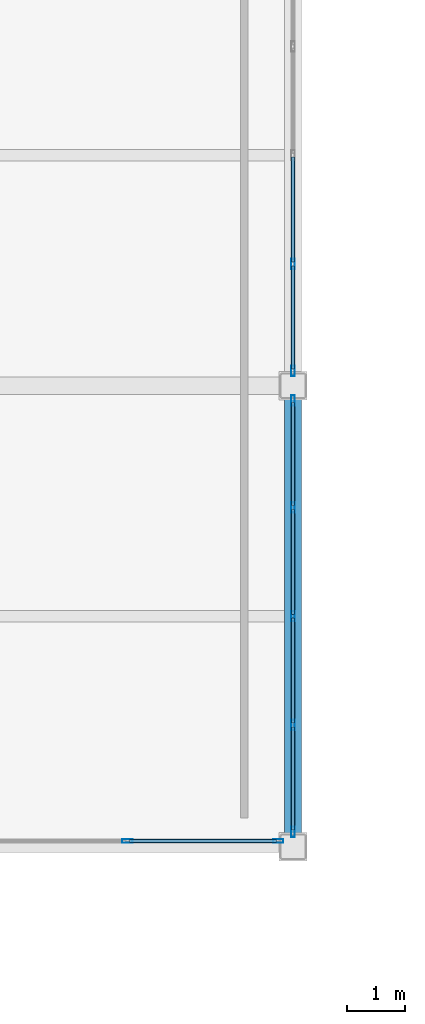
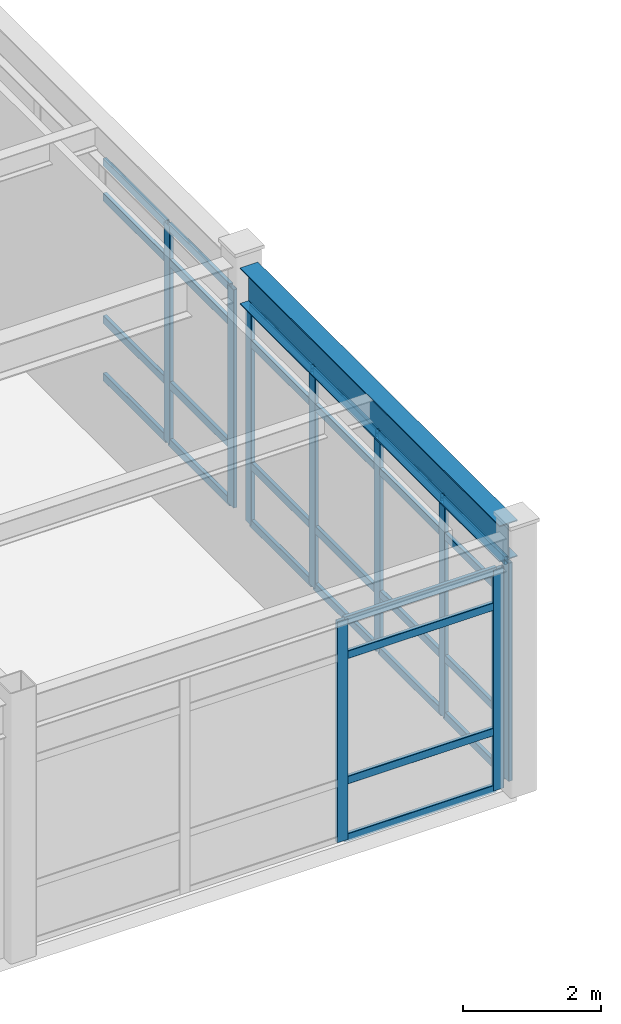
# One storey, part 83 of 172: 37 members, 1 beam, 3 elements without a shape of their own.
"""IFC4 building model written with IfcOpenShell, lengths in metres."""

from ifc_helpers import new_model, si_unit, direction, frame, origin, origin_2d, place, context, subcontext, project, spatial, hollow_rectangle, i_section, extrude, material, layer, layer_set, material_profile, profile_set, type_object, element, aggregate, save


model = new_model("IFC4")

# Units and contexts
model_context = context("Model", 3, precision=1e-05, world=origin(), true_north=direction((0.0, 1.0)))
body_context = subcontext(model_context, "Body", "Model", "MODEL_VIEW")
ifc_project = project(units=[si_unit("LENGTHUNIT", "METRE"), si_unit("AREAUNIT", "SQUARE_METRE"), si_unit("VOLUMEUNIT", "CUBIC_METRE"), si_unit("PLANEANGLEUNIT", "RADIAN"), si_unit("MASSUNIT", "GRAM", prefix="KILO")], contexts=[model_context])

# Site, building, storey
site_placement = place(None, origin())
site = spatial("IfcSite", under=ifc_project, at=site_placement, CompositionType="ELEMENT")
building_placement = place(site_placement, origin())
building = spatial("IfcBuilding", under=site, at=building_placement, Name="Kazehara Bluff Congress Hotel", CompositionType="ELEMENT")
storey_placement = place(building_placement, frame((0.0, 0.0, 5.39990234375)))
storey = spatial("IfcBuildingStorey", under=building, at=storey_placement, Name="L01", CompositionType="ELEMENT", Elevation=5.39990234375)

# Curtain wall, members
ifc_material_1 = material(Name="Anodised aluminium", Category="aluminium")
ifc_layer_1 = layer(ifc_material_1, 0.159912109375)
ifc_layer_set_1 = layer_set([ifc_layer_1], Name="Anodised aluminium")
curtain_wall_type_1 = type_object("IfcCurtainWallType", Name="TP-CW-21", PredefinedType="NOTDEFINED", material=ifc_layer_set_1)
curtain_wall_1_placement = place(storey_placement, origin())
curtain_wall_1 = element("IfcCurtainWall", 1, at=curtain_wall_1_placement, inside=storey, type_object=curtain_wall_type_1, Name="L01 curtain wall CW-21 CW-V3-L01-X10125-8112", PredefinedType="NOTDEFINED")
ifc_material_2 = material(Name="Anodised aluminium", Category="aluminium")
ifc_material_profile_1 = material_profile(ifc_material_2, hollow_rectangle(XDim=0.06494140625, YDim=0.179931640625, WallThickness=0.00390625, InnerFilletRadius=0.00390625, OuterFilletRadius=0.008056640625, at=origin_2d()))
ifc_profile_set_1 = profile_set([ifc_material_profile_1], Name="Anodised aluminium")
member_type_1 = type_object("IfcMemberType", Name="TP-CWM-02", PredefinedType="MULLION", material=ifc_profile_set_1)
member_1_placement = place(storey_placement, frame((101.25, 81.157470703125, 0.0), z_axis=(0.0, 0.0, 1.0), x_axis=(-1.0, 0.0, 0.0)))
member_1 = element("IfcMember", 2, at=member_1_placement, type_object=member_type_1, Name="CW-21 mullion 1", PredefinedType="MULLION", context=body_context, shape_type="SweptSolid", body=[
    extrude(hollow_rectangle(XDim=0.06494140625, YDim=0.179931640625, WallThickness=0.00390625, InnerFilletRadius=0.00390625, OuterFilletRadius=0.008056640625, at=origin_2d()), origin(), (0.0, 0.0, 1.0), 3.875),
])
member_2_placement = place(storey_placement, frame((101.25, 83.012451171875, 0.0), z_axis=(0.0, 0.0, 1.0), x_axis=(-1.0, 0.0, 0.0)))
member_2 = element("IfcMember", 3, at=member_2_placement, type_object=member_type_1, Name="CW-21 mullion 2", PredefinedType="MULLION", context=body_context, shape_type="SweptSolid", body=[
    extrude(hollow_rectangle(XDim=0.06494140625, YDim=0.179931640625, WallThickness=0.00390625, InnerFilletRadius=0.00390625, OuterFilletRadius=0.008056640625, at=origin_2d()), origin(), (0.0, 0.0, 1.0), 3.875),
])
member_3_placement = place(storey_placement, frame((101.25, 84.89990234375, 0.0), z_axis=(0.0, 0.0, 1.0), x_axis=(-1.0, 0.0, 0.0)))
member_3 = element("IfcMember", 4, at=member_3_placement, type_object=member_type_1, Name="CW-21 mullion 3", PredefinedType="MULLION", context=body_context, shape_type="SweptSolid", body=[
    extrude(hollow_rectangle(XDim=0.06494140625, YDim=0.179931640625, WallThickness=0.00390625, InnerFilletRadius=0.00390625, OuterFilletRadius=0.008056640625, at=origin_2d()), origin(), (0.0, 0.0, 1.0), 3.875),
])
member_4_placement = place(storey_placement, frame((101.25, 86.78759765625, 0.0), z_axis=(0.0, 0.0, 1.0), x_axis=(-1.0, 0.0, 0.0)))
member_4 = element("IfcMember", 5, at=member_4_placement, type_object=member_type_1, Name="CW-21 mullion 4", PredefinedType="MULLION", context=body_context, shape_type="SweptSolid", body=[
    extrude(hollow_rectangle(XDim=0.06494140625, YDim=0.179931640625, WallThickness=0.00390625, InnerFilletRadius=0.00390625, OuterFilletRadius=0.008056640625, at=origin_2d()), origin(), (0.0, 0.0, 1.0), 3.875),
])
member_5_placement = place(storey_placement, frame((101.25, 88.642578125, 0.0), z_axis=(0.0, 0.0, 1.0), x_axis=(-1.0, 0.0, 0.0)))
member_5 = element("IfcMember", 6, at=member_5_placement, type_object=member_type_1, Name="CW-21 mullion 5", PredefinedType="MULLION", context=body_context, shape_type="SweptSolid", body=[
    extrude(hollow_rectangle(XDim=0.06494140625, YDim=0.179931640625, WallThickness=0.00390625, InnerFilletRadius=0.00390625, OuterFilletRadius=0.008056640625, at=origin_2d()), origin(), (0.0, 0.0, 1.0), 3.875),
])

curtain_wall_2_placement = place(storey_placement, origin())
curtain_wall_2 = element("IfcCurtainWall", 7, at=curtain_wall_2_placement, inside=storey, type_object=curtain_wall_type_1, Name="L01 curtain wall CW-21 CW-V3-L01-X10125-8912", PredefinedType="NOTDEFINED")
member_6_placement = place(storey_placement, frame((101.25, 89.157470703125, 0.0), z_axis=(0.0, 0.0, 1.0), x_axis=(-1.0, 0.0, 0.0)))
member_6 = element("IfcMember", 8, at=member_6_placement, type_object=member_type_1, Name="CW-21 mullion 1", PredefinedType="MULLION", context=body_context, shape_type="SweptSolid", body=[
    extrude(hollow_rectangle(XDim=0.06494140625, YDim=0.179931640625, WallThickness=0.00390625, InnerFilletRadius=0.00390625, OuterFilletRadius=0.008056640625, at=origin_2d()), origin(), (0.0, 0.0, 1.0), 3.875),
])
member_7_placement = place(storey_placement, frame((101.25, 91.012451171875, 0.0), z_axis=(0.0, 0.0, 1.0), x_axis=(-1.0, 0.0, 0.0)))
member_7 = element("IfcMember", 9, at=member_7_placement, type_object=member_type_1, Name="CW-21 mullion 2", PredefinedType="MULLION", context=body_context, shape_type="SweptSolid", body=[
    extrude(hollow_rectangle(XDim=0.06494140625, YDim=0.179931640625, WallThickness=0.00390625, InnerFilletRadius=0.00390625, OuterFilletRadius=0.008056640625, at=origin_2d()), origin(), (0.0, 0.0, 1.0), 3.875),
])

ifc_material_3 = material(Name="Anodised aluminium", Category="aluminium")
ifc_layer_2 = layer(ifc_material_3, 0.159912109375)
ifc_layer_set_2 = layer_set([ifc_layer_2], Name="Anodised aluminium")
curtain_wall_type_2 = type_object("IfcCurtainWallType", Name="TP-CW-37", PredefinedType="NOTDEFINED", material=ifc_layer_set_2)
curtain_wall_3_placement = place(storey_placement, origin())
curtain_wall_3 = element("IfcCurtainWall", 10, at=curtain_wall_3_placement, inside=storey, type_object=curtain_wall_type_2, Name="L01 curtain wall CW-37 CW-ENC-V3-L01-9705-8100", PredefinedType="NOTDEFINED")
member_8_placement = place(storey_placement, frame((100.992431640625, 81.0, 0.0), z_axis=(0.0, 0.0, 1.0), x_axis=(0.0, -1.0, 0.0)))
member_8 = element("IfcMember", 11, at=member_8_placement, type_object=member_type_1, Name="CW-37 mullion 1", PredefinedType="MULLION", context=body_context, shape_type="SweptSolid", body=[
    extrude(hollow_rectangle(XDim=0.06494140625, YDim=0.179931640625, WallThickness=0.00390625, InnerFilletRadius=0.00390625, OuterFilletRadius=0.008056640625, at=origin_2d()), origin(), (0.0, 0.0, 1.0), 3.925048828125),
])
member_9_placement = place(storey_placement, frame((98.375, 81.0, 0.0), z_axis=(0.0, 0.0, 1.0), x_axis=(0.0, -1.0, 0.0)))
member_9 = element("IfcMember", 12, at=member_9_placement, type_object=member_type_1, Name="CW-37 mullion 2", PredefinedType="MULLION", context=body_context, shape_type="SweptSolid", body=[
    extrude(hollow_rectangle(XDim=0.06494140625, YDim=0.179931640625, WallThickness=0.00390625, InnerFilletRadius=0.00390625, OuterFilletRadius=0.008056640625, at=origin_2d()), origin(), (0.0, 0.0, 1.0), 3.925048828125),
])

# Member
ifc_material_4 = material(Name="Anodised aluminium", Category="aluminium")
ifc_material_profile_2 = material_profile(ifc_material_4, hollow_rectangle(XDim=0.06494140625, YDim=0.139892578125, WallThickness=0.00390625, InnerFilletRadius=0.00390625, OuterFilletRadius=0.008056640625, at=origin_2d()))
ifc_profile_set_2 = profile_set([ifc_material_profile_2], Name="Anodised aluminium")
member_type_2 = type_object("IfcMemberType", Name="TP-CWT-02", PredefinedType="USERDEFINED", material=ifc_profile_set_2)
member_10_placement = place(storey_placement, frame((101.25, 81.18994140625, 0.03271484375), z_axis=(0.0, 1.0, 0.0), x_axis=(-1.0, 0.0, 0.0)))
member_10 = element("IfcMember", 13, at=member_10_placement, type_object=member_type_2, Name="CW-21 transom 1.1", ObjectType="TRANSOM", PredefinedType="USERDEFINED", context=body_context, shape_type="SweptSolid", body=[
    extrude(hollow_rectangle(XDim=0.06494140625, YDim=0.139892578125, WallThickness=0.00390625, InnerFilletRadius=0.00390625, OuterFilletRadius=0.008056640625, at=origin_2d()), origin(), (0.0, 0.0, 1.0), 1.7900390625),
])

member_11_placement = place(storey_placement, frame((101.25, 81.18994140625, 1.050048828125), z_axis=(0.0, 1.0, 0.0), x_axis=(-1.0, 0.0, 0.0)))
member_11 = element("IfcMember", 14, at=member_11_placement, type_object=member_type_2, Name="CW-21 transom 1.2", ObjectType="TRANSOM", PredefinedType="USERDEFINED", context=body_context, shape_type="SweptSolid", body=[
    extrude(hollow_rectangle(XDim=0.06494140625, YDim=0.139892578125, WallThickness=0.00390625, InnerFilletRadius=0.00390625, OuterFilletRadius=0.008056640625, at=origin_2d()), origin(), (0.0, 0.0, 1.0), 1.7900390625),
])

member_12_placement = place(storey_placement, frame((101.25, 81.18994140625, 3.22509765625), z_axis=(0.0, 1.0, 0.0), x_axis=(-1.0, 0.0, 0.0)))
member_12 = element("IfcMember", 15, at=member_12_placement, type_object=member_type_2, Name="CW-21 transom 1.3", ObjectType="TRANSOM", PredefinedType="USERDEFINED", context=body_context, shape_type="SweptSolid", body=[
    extrude(hollow_rectangle(XDim=0.06494140625, YDim=0.139892578125, WallThickness=0.00390625, InnerFilletRadius=0.00390625, OuterFilletRadius=0.008056640625, at=origin_2d()), origin(), (0.0, 0.0, 1.0), 1.7900390625),
])

member_13_placement = place(storey_placement, frame((101.25, 81.18994140625, 3.842529296875), z_axis=(0.0, 1.0, 0.0), x_axis=(-1.0, 0.0, 0.0)))
member_13 = element("IfcMember", 16, at=member_13_placement, type_object=member_type_2, Name="CW-21 transom 1.4", ObjectType="TRANSOM", PredefinedType="USERDEFINED", context=body_context, shape_type="SweptSolid", body=[
    extrude(hollow_rectangle(XDim=0.06494140625, YDim=0.139892578125, WallThickness=0.00390625, InnerFilletRadius=0.00390625, OuterFilletRadius=0.008056640625, at=origin_2d()), origin(), (0.0, 0.0, 1.0), 1.7900390625),
])

member_14_placement = place(storey_placement, frame((101.25, 83.044921875, 0.03271484375), z_axis=(0.0, 1.0, 0.0), x_axis=(-1.0, 0.0, 0.0)))
member_14 = element("IfcMember", 17, at=member_14_placement, type_object=member_type_2, Name="CW-21 transom 2.1", ObjectType="TRANSOM", PredefinedType="USERDEFINED", context=body_context, shape_type="SweptSolid", body=[
    extrude(hollow_rectangle(XDim=0.06494140625, YDim=0.139892578125, WallThickness=0.00390625, InnerFilletRadius=0.00390625, OuterFilletRadius=0.008056640625, at=origin_2d()), origin(), (0.0, 0.0, 1.0), 1.822509765625),
])

member_15_placement = place(storey_placement, frame((101.25, 83.044921875, 1.050048828125), z_axis=(0.0, 1.0, 0.0), x_axis=(-1.0, 0.0, 0.0)))
member_15 = element("IfcMember", 18, at=member_15_placement, type_object=member_type_2, Name="CW-21 transom 2.2", ObjectType="TRANSOM", PredefinedType="USERDEFINED", context=body_context, shape_type="SweptSolid", body=[
    extrude(hollow_rectangle(XDim=0.06494140625, YDim=0.139892578125, WallThickness=0.00390625, InnerFilletRadius=0.00390625, OuterFilletRadius=0.008056640625, at=origin_2d()), origin(), (0.0, 0.0, 1.0), 1.822509765625),
])

member_16_placement = place(storey_placement, frame((101.25, 83.044921875, 3.22509765625), z_axis=(0.0, 1.0, 0.0), x_axis=(-1.0, 0.0, 0.0)))
member_16 = element("IfcMember", 19, at=member_16_placement, type_object=member_type_2, Name="CW-21 transom 2.3", ObjectType="TRANSOM", PredefinedType="USERDEFINED", context=body_context, shape_type="SweptSolid", body=[
    extrude(hollow_rectangle(XDim=0.06494140625, YDim=0.139892578125, WallThickness=0.00390625, InnerFilletRadius=0.00390625, OuterFilletRadius=0.008056640625, at=origin_2d()), origin(), (0.0, 0.0, 1.0), 1.822509765625),
])

member_17_placement = place(storey_placement, frame((101.25, 83.044921875, 3.842529296875), z_axis=(0.0, 1.0, 0.0), x_axis=(-1.0, 0.0, 0.0)))
member_17 = element("IfcMember", 20, at=member_17_placement, type_object=member_type_2, Name="CW-21 transom 2.4", ObjectType="TRANSOM", PredefinedType="USERDEFINED", context=body_context, shape_type="SweptSolid", body=[
    extrude(hollow_rectangle(XDim=0.06494140625, YDim=0.139892578125, WallThickness=0.00390625, InnerFilletRadius=0.00390625, OuterFilletRadius=0.008056640625, at=origin_2d()), origin(), (0.0, 0.0, 1.0), 1.822509765625),
])

member_18_placement = place(storey_placement, frame((101.25, 84.9326171875, 0.03271484375), z_axis=(0.0, 1.0, 0.0), x_axis=(-1.0, 0.0, 0.0)))
member_18 = element("IfcMember", 21, at=member_18_placement, type_object=member_type_2, Name="CW-21 transom 3.1", ObjectType="TRANSOM", PredefinedType="USERDEFINED", context=body_context, shape_type="SweptSolid", body=[
    extrude(hollow_rectangle(XDim=0.06494140625, YDim=0.139892578125, WallThickness=0.00390625, InnerFilletRadius=0.00390625, OuterFilletRadius=0.008056640625, at=origin_2d()), origin(), (0.0, 0.0, 1.0), 1.822265625),
])

member_19_placement = place(storey_placement, frame((101.25, 84.9326171875, 1.050048828125), z_axis=(0.0, 1.0, 0.0), x_axis=(-1.0, 0.0, 0.0)))
member_19 = element("IfcMember", 22, at=member_19_placement, type_object=member_type_2, Name="CW-21 transom 3.2", ObjectType="TRANSOM", PredefinedType="USERDEFINED", context=body_context, shape_type="SweptSolid", body=[
    extrude(hollow_rectangle(XDim=0.06494140625, YDim=0.139892578125, WallThickness=0.00390625, InnerFilletRadius=0.00390625, OuterFilletRadius=0.008056640625, at=origin_2d()), origin(), (0.0, 0.0, 1.0), 1.822265625),
])

member_20_placement = place(storey_placement, frame((101.25, 84.9326171875, 3.22509765625), z_axis=(0.0, 1.0, 0.0), x_axis=(-1.0, 0.0, 0.0)))
member_20 = element("IfcMember", 23, at=member_20_placement, type_object=member_type_2, Name="CW-21 transom 3.3", ObjectType="TRANSOM", PredefinedType="USERDEFINED", context=body_context, shape_type="SweptSolid", body=[
    extrude(hollow_rectangle(XDim=0.06494140625, YDim=0.139892578125, WallThickness=0.00390625, InnerFilletRadius=0.00390625, OuterFilletRadius=0.008056640625, at=origin_2d()), origin(), (0.0, 0.0, 1.0), 1.822265625),
])

member_21_placement = place(storey_placement, frame((101.25, 84.9326171875, 3.842529296875), z_axis=(0.0, 1.0, 0.0), x_axis=(-1.0, 0.0, 0.0)))
member_21 = element("IfcMember", 24, at=member_21_placement, type_object=member_type_2, Name="CW-21 transom 3.4", ObjectType="TRANSOM", PredefinedType="USERDEFINED", context=body_context, shape_type="SweptSolid", body=[
    extrude(hollow_rectangle(XDim=0.06494140625, YDim=0.139892578125, WallThickness=0.00390625, InnerFilletRadius=0.00390625, OuterFilletRadius=0.008056640625, at=origin_2d()), origin(), (0.0, 0.0, 1.0), 1.822265625),
])

member_22_placement = place(storey_placement, frame((101.25, 86.820068359375, 0.03271484375), z_axis=(0.0, 1.0, 0.0), x_axis=(-1.0, 0.0, 0.0)))
member_22 = element("IfcMember", 25, at=member_22_placement, type_object=member_type_2, Name="CW-21 transom 4.1", ObjectType="TRANSOM", PredefinedType="USERDEFINED", context=body_context, shape_type="SweptSolid", body=[
    extrude(hollow_rectangle(XDim=0.06494140625, YDim=0.139892578125, WallThickness=0.00390625, InnerFilletRadius=0.00390625, OuterFilletRadius=0.008056640625, at=origin_2d()), origin(), (0.0, 0.0, 1.0), 1.7900390625),
])

member_23_placement = place(storey_placement, frame((101.25, 86.820068359375, 1.050048828125), z_axis=(0.0, 1.0, 0.0), x_axis=(-1.0, 0.0, 0.0)))
member_23 = element("IfcMember", 26, at=member_23_placement, type_object=member_type_2, Name="CW-21 transom 4.2", ObjectType="TRANSOM", PredefinedType="USERDEFINED", context=body_context, shape_type="SweptSolid", body=[
    extrude(hollow_rectangle(XDim=0.06494140625, YDim=0.139892578125, WallThickness=0.00390625, InnerFilletRadius=0.00390625, OuterFilletRadius=0.008056640625, at=origin_2d()), origin(), (0.0, 0.0, 1.0), 1.7900390625),
])

member_24_placement = place(storey_placement, frame((101.25, 86.820068359375, 3.22509765625), z_axis=(0.0, 1.0, 0.0), x_axis=(-1.0, 0.0, 0.0)))
member_24 = element("IfcMember", 27, at=member_24_placement, type_object=member_type_2, Name="CW-21 transom 4.3", ObjectType="TRANSOM", PredefinedType="USERDEFINED", context=body_context, shape_type="SweptSolid", body=[
    extrude(hollow_rectangle(XDim=0.06494140625, YDim=0.139892578125, WallThickness=0.00390625, InnerFilletRadius=0.00390625, OuterFilletRadius=0.008056640625, at=origin_2d()), origin(), (0.0, 0.0, 1.0), 1.7900390625),
])

member_25_placement = place(storey_placement, frame((101.25, 86.820068359375, 3.842529296875), z_axis=(0.0, 1.0, 0.0), x_axis=(-1.0, 0.0, 0.0)))
member_25 = element("IfcMember", 28, at=member_25_placement, type_object=member_type_2, Name="CW-21 transom 4.4", ObjectType="TRANSOM", PredefinedType="USERDEFINED", context=body_context, shape_type="SweptSolid", body=[
    extrude(hollow_rectangle(XDim=0.06494140625, YDim=0.139892578125, WallThickness=0.00390625, InnerFilletRadius=0.00390625, OuterFilletRadius=0.008056640625, at=origin_2d()), origin(), (0.0, 0.0, 1.0), 1.7900390625),
])

aggregate(curtain_wall_1, [member_1, member_2, member_3, member_4, member_5, member_10, member_11, member_12, member_13, member_14, member_15, member_16, member_17, member_18, member_19, member_20, member_21, member_22, member_23, member_24, member_25])

member_26_placement = place(storey_placement, frame((101.25, 89.18994140625, 0.03271484375), z_axis=(0.0, 1.0, 0.0), x_axis=(-1.0, 0.0, 0.0)))
member_26 = element("IfcMember", 29, at=member_26_placement, type_object=member_type_2, Name="CW-21 transom 1.1", ObjectType="TRANSOM", PredefinedType="USERDEFINED", context=body_context, shape_type="SweptSolid", body=[
    extrude(hollow_rectangle(XDim=0.06494140625, YDim=0.139892578125, WallThickness=0.00390625, InnerFilletRadius=0.00390625, OuterFilletRadius=0.008056640625, at=origin_2d()), origin(), (0.0, 0.0, 1.0), 1.7900390625),
])

member_27_placement = place(storey_placement, frame((101.25, 89.18994140625, 1.050048828125), z_axis=(0.0, 1.0, 0.0), x_axis=(-1.0, 0.0, 0.0)))
member_27 = element("IfcMember", 30, at=member_27_placement, type_object=member_type_2, Name="CW-21 transom 1.2", ObjectType="TRANSOM", PredefinedType="USERDEFINED", context=body_context, shape_type="SweptSolid", body=[
    extrude(hollow_rectangle(XDim=0.06494140625, YDim=0.139892578125, WallThickness=0.00390625, InnerFilletRadius=0.00390625, OuterFilletRadius=0.008056640625, at=origin_2d()), origin(), (0.0, 0.0, 1.0), 1.7900390625),
])

member_28_placement = place(storey_placement, frame((101.25, 89.18994140625, 3.22509765625), z_axis=(0.0, 1.0, 0.0), x_axis=(-1.0, 0.0, 0.0)))
member_28 = element("IfcMember", 31, at=member_28_placement, type_object=member_type_2, Name="CW-21 transom 1.3", ObjectType="TRANSOM", PredefinedType="USERDEFINED", context=body_context, shape_type="SweptSolid", body=[
    extrude(hollow_rectangle(XDim=0.06494140625, YDim=0.139892578125, WallThickness=0.00390625, InnerFilletRadius=0.00390625, OuterFilletRadius=0.008056640625, at=origin_2d()), origin(), (0.0, 0.0, 1.0), 1.7900390625),
])

member_29_placement = place(storey_placement, frame((101.25, 89.18994140625, 3.842529296875), z_axis=(0.0, 1.0, 0.0), x_axis=(-1.0, 0.0, 0.0)))
member_29 = element("IfcMember", 32, at=member_29_placement, type_object=member_type_2, Name="CW-21 transom 1.4", ObjectType="TRANSOM", PredefinedType="USERDEFINED", context=body_context, shape_type="SweptSolid", body=[
    extrude(hollow_rectangle(XDim=0.06494140625, YDim=0.139892578125, WallThickness=0.00390625, InnerFilletRadius=0.00390625, OuterFilletRadius=0.008056640625, at=origin_2d()), origin(), (0.0, 0.0, 1.0), 1.7900390625),
])

member_30_placement = place(storey_placement, frame((101.25, 91.044921875, 0.03271484375), z_axis=(0.0, 1.0, 0.0), x_axis=(-1.0, 0.0, 0.0)))
member_30 = element("IfcMember", 33, at=member_30_placement, type_object=member_type_2, Name="CW-21 transom 2.1", ObjectType="TRANSOM", PredefinedType="USERDEFINED", context=body_context, shape_type="SweptSolid", body=[
    extrude(hollow_rectangle(XDim=0.06494140625, YDim=0.139892578125, WallThickness=0.00390625, InnerFilletRadius=0.00390625, OuterFilletRadius=0.008056640625, at=origin_2d()), origin(), (0.0, 0.0, 1.0), 1.822509765625),
])

member_31_placement = place(storey_placement, frame((101.25, 91.044921875, 1.050048828125), z_axis=(0.0, 1.0, 0.0), x_axis=(-1.0, 0.0, 0.0)))
member_31 = element("IfcMember", 34, at=member_31_placement, type_object=member_type_2, Name="CW-21 transom 2.2", ObjectType="TRANSOM", PredefinedType="USERDEFINED", context=body_context, shape_type="SweptSolid", body=[
    extrude(hollow_rectangle(XDim=0.06494140625, YDim=0.139892578125, WallThickness=0.00390625, InnerFilletRadius=0.00390625, OuterFilletRadius=0.008056640625, at=origin_2d()), origin(), (0.0, 0.0, 1.0), 1.822509765625),
])

member_32_placement = place(storey_placement, frame((101.25, 91.044921875, 3.22509765625), z_axis=(0.0, 1.0, 0.0), x_axis=(-1.0, 0.0, 0.0)))
member_32 = element("IfcMember", 35, at=member_32_placement, type_object=member_type_2, Name="CW-21 transom 2.3", ObjectType="TRANSOM", PredefinedType="USERDEFINED", context=body_context, shape_type="SweptSolid", body=[
    extrude(hollow_rectangle(XDim=0.06494140625, YDim=0.139892578125, WallThickness=0.00390625, InnerFilletRadius=0.00390625, OuterFilletRadius=0.008056640625, at=origin_2d()), origin(), (0.0, 0.0, 1.0), 1.822509765625),
])

member_33_placement = place(storey_placement, frame((101.25, 91.044921875, 3.842529296875), z_axis=(0.0, 1.0, 0.0), x_axis=(-1.0, 0.0, 0.0)))
member_33 = element("IfcMember", 36, at=member_33_placement, type_object=member_type_2, Name="CW-21 transom 2.4", ObjectType="TRANSOM", PredefinedType="USERDEFINED", context=body_context, shape_type="SweptSolid", body=[
    extrude(hollow_rectangle(XDim=0.06494140625, YDim=0.139892578125, WallThickness=0.00390625, InnerFilletRadius=0.00390625, OuterFilletRadius=0.008056640625, at=origin_2d()), origin(), (0.0, 0.0, 1.0), 1.822509765625),
])

aggregate(curtain_wall_2, [member_6, member_7, member_26, member_27, member_28, member_29, member_30, member_31, member_32, member_33])

member_34_placement = place(storey_placement, frame((100.9599609375, 81.0, 0.03271484375), z_axis=(-1.0, 0.0, 0.0), x_axis=(0.0, -1.0, 0.0)))
member_34 = element("IfcMember", 37, at=member_34_placement, type_object=member_type_2, Name="CW-37 transom 1.1", ObjectType="TRANSOM", PredefinedType="USERDEFINED", context=body_context, shape_type="SweptSolid", body=[
    extrude(hollow_rectangle(XDim=0.06494140625, YDim=0.139892578125, WallThickness=0.00390625, InnerFilletRadius=0.00390625, OuterFilletRadius=0.008056640625, at=origin_2d()), origin(), (0.0, 0.0, 1.0), 2.552490234375),
])

member_35_placement = place(storey_placement, frame((100.9599609375, 81.0, 1.050048828125), z_axis=(-1.0, 0.0, 0.0), x_axis=(0.0, -1.0, 0.0)))
member_35 = element("IfcMember", 38, at=member_35_placement, type_object=member_type_2, Name="CW-37 transom 1.2", ObjectType="TRANSOM", PredefinedType="USERDEFINED", context=body_context, shape_type="SweptSolid", body=[
    extrude(hollow_rectangle(XDim=0.06494140625, YDim=0.139892578125, WallThickness=0.00390625, InnerFilletRadius=0.00390625, OuterFilletRadius=0.008056640625, at=origin_2d()), origin(), (0.0, 0.0, 1.0), 2.552490234375),
])

member_36_placement = place(storey_placement, frame((100.9599609375, 81.0, 3.275146484375), z_axis=(-1.0, 0.0, 0.0), x_axis=(0.0, -1.0, 0.0)))
member_36 = element("IfcMember", 39, at=member_36_placement, type_object=member_type_2, Name="CW-37 transom 1.3", ObjectType="TRANSOM", PredefinedType="USERDEFINED", context=body_context, shape_type="SweptSolid", body=[
    extrude(hollow_rectangle(XDim=0.06494140625, YDim=0.139892578125, WallThickness=0.00390625, InnerFilletRadius=0.00390625, OuterFilletRadius=0.008056640625, at=origin_2d()), origin(), (0.0, 0.0, 1.0), 2.552490234375),
])

member_37_placement = place(storey_placement, frame((100.9599609375, 81.0, 3.892578125), z_axis=(-1.0, 0.0, 0.0), x_axis=(0.0, -1.0, 0.0)))
member_37 = element("IfcMember", 40, at=member_37_placement, type_object=member_type_2, Name="CW-37 transom 1.4", ObjectType="TRANSOM", PredefinedType="USERDEFINED", context=body_context, shape_type="SweptSolid", body=[
    extrude(hollow_rectangle(XDim=0.06494140625, YDim=0.139892578125, WallThickness=0.00390625, InnerFilletRadius=0.00390625, OuterFilletRadius=0.008056640625, at=origin_2d()), origin(), (0.0, 0.0, 1.0), 2.552490234375),
])

aggregate(curtain_wall_3, [member_8, member_9, member_34, member_35, member_36, member_37])

# Beam
ifc_material_5 = material(Name="Steel SN490B", Category="steel")
ifc_material_profile_3 = material_profile(ifc_material_5, i_section(OverallWidth=0.300048828125, OverallDepth=0.64990234375, WebThickness=0.011962890625, FlangeThickness=0.02001953125, FilletRadius=0.012939453125, at=origin_2d()))
ifc_profile_set_3 = profile_set([ifc_material_profile_3], Name="Steel SN490B")
beam_type = type_object("IfcBeamType", Name="TP-G-03", PredefinedType="BEAM", material=ifc_profile_set_3)
beam_placement = place(storey_placement, frame((101.25, 81.125, 4.22509765625), z_axis=(0.0, 1.0, 0.0), x_axis=(-1.0, 0.0, 0.0)))
element("IfcBeam", 41, at=beam_placement, inside=storey, type_object=beam_type, Name="L01 girder G-03 119", PredefinedType="BEAM", context=body_context, shape_type="SweptSolid", body=[
    extrude(i_section(OverallWidth=0.300048828125, OverallDepth=0.64990234375, WebThickness=0.011962890625, FlangeThickness=0.02001953125, FilletRadius=0.012939453125, at=origin_2d()), origin(), (0.0, 0.0, 1.0), 7.550048828125),
])

save(model, "model.ifc")
